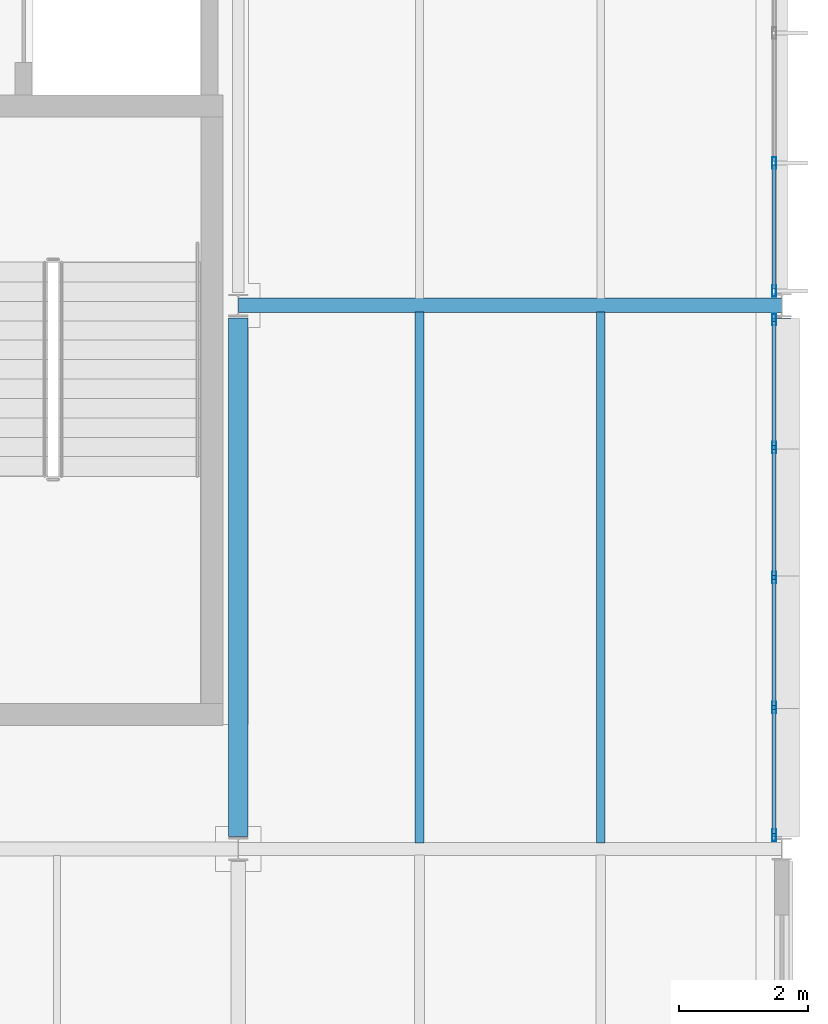
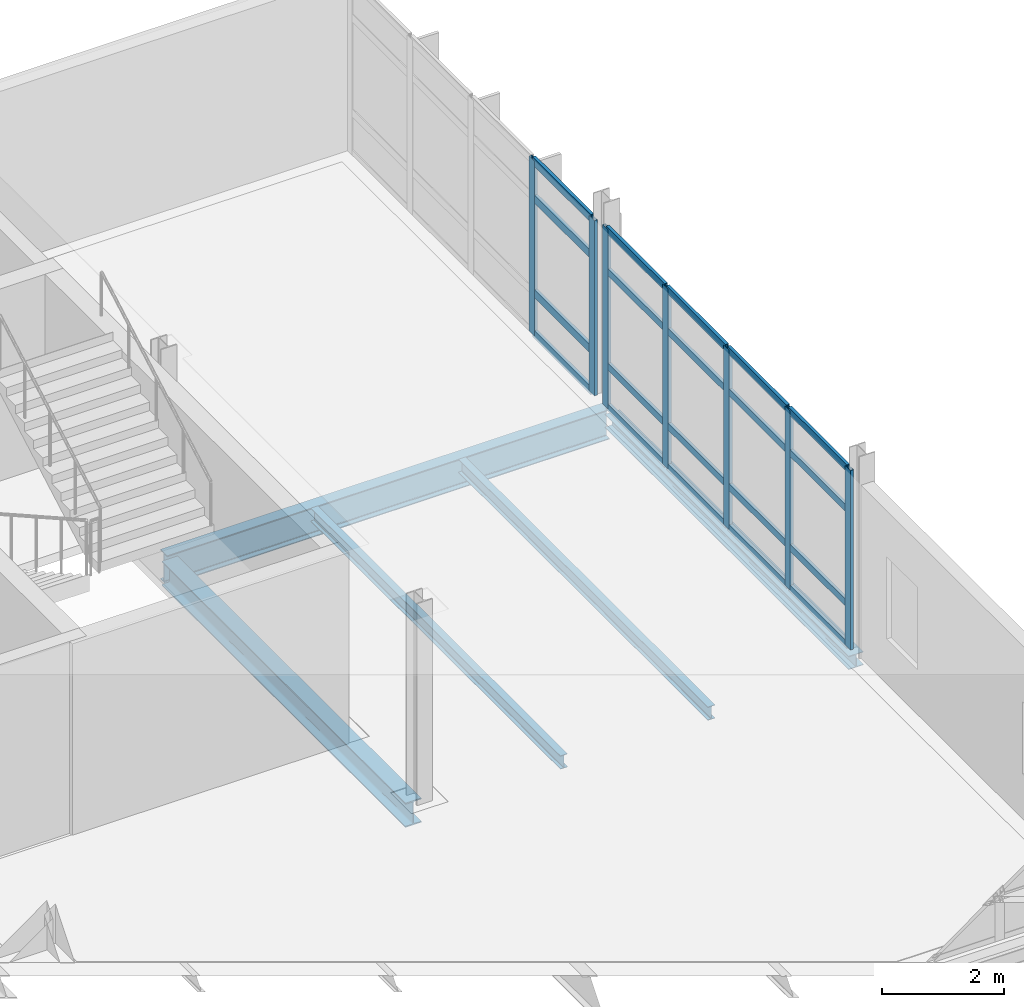
# One storey, part 38 of 57: 27 members, 5 beams, 2 elements without a shape of their own.
"""IFC4 building model written with IfcOpenShell, lengths in metres."""

from ifc_helpers import new_model, si_unit, direction, frame, origin, origin_2d, place, context, subcontext, project, spatial, hollow_rectangle, i_section, extrude, material, material_profile, profile_set, type_object, element, aggregate, save


model = new_model("IFC4")

# Units and contexts
model_context = context("Model", 3, precision=1e-05, world=origin(), true_north=direction((0.0, 1.0)))
body_context = subcontext(model_context, "Body", "Model", "MODEL_VIEW")
ifc_project = project(units=[si_unit("LENGTHUNIT", "METRE"), si_unit("AREAUNIT", "SQUARE_METRE"), si_unit("VOLUMEUNIT", "CUBIC_METRE"), si_unit("PLANEANGLEUNIT", "RADIAN"), si_unit("MASSUNIT", "GRAM", prefix="KILO")], contexts=[model_context])

# Site, building, storey
site_placement = place(None, origin())
site = spatial("IfcSite", under=ifc_project, at=site_placement, CompositionType="ELEMENT")
building_placement = place(site_placement, origin())
building = spatial("IfcBuilding", under=site, at=building_placement, Name="Mersafa Astral City Hall", CompositionType="ELEMENT")
storey_placement = place(building_placement, frame((0.0, 0.0, 26.10009765625)))
storey = spatial("IfcBuildingStorey", under=building, at=storey_placement, Name="L06", CompositionType="ELEMENT", Elevation=26.10009765625)

# Curtain wall, members
ifc_material_1 = material(Name="Anodised bronze aluminium framing", Category="aluminium")
curtain_wall_type_1 = type_object("IfcCurtainWallType", Name="ENV-CW-4", PredefinedType="USERDEFINED", material=ifc_material_1)
curtain_wall_1_placement = place(storey_placement, origin())
curtain_wall_1 = element("IfcCurtainWall", 1, at=curtain_wall_1_placement, inside=storey, type_object=curtain_wall_type_1, Name="L06 Unitised solar curtain wall 255", ObjectType="UNITISED CURTAIN WALL", PredefinedType="USERDEFINED")
ifc_material_profile_1 = material_profile(ifc_material_1, hollow_rectangle(XDim=0.06005859375, YDim=0.179931640625, WallThickness=0.00390625, at=origin_2d()), Name="RHS 60x180x4")
ifc_profile_set_1 = profile_set([ifc_material_profile_1], Name="Anodised bronze aluminium framing")
member_type_1 = type_object("IfcMemberType", Name="ENV-CW-MUL-1", PredefinedType="MULLION", material=ifc_profile_set_1)
member_1_placement = place(storey_placement, frame((184.679931640625, 109.412109375, -0.002197265625), z_axis=(0.0, 0.0, 1.0), x_axis=(-1.0, 0.0, 0.0)))
member_1 = element("IfcMember", 2, at=member_1_placement, type_object=member_type_1, Name="CW-4 mullion 1", PredefinedType="MULLION", context=body_context, shape_type="SweptSolid", body=[
    extrude(hollow_rectangle(XDim=0.06005859375, YDim=0.179931640625, WallThickness=0.00390625, at=origin_2d()), origin(), (0.0, 0.0, 1.0), 3.60400390625),
])
member_2_placement = place(storey_placement, frame((184.679931640625, 111.388427734375, -0.002197265625), z_axis=(0.0, 0.0, 1.0), x_axis=(-1.0, 0.0, 0.0)))
member_2 = element("IfcMember", 3, at=member_2_placement, type_object=member_type_1, Name="CW-4 mullion 2", PredefinedType="MULLION", context=body_context, shape_type="SweptSolid", body=[
    extrude(hollow_rectangle(XDim=0.06005859375, YDim=0.179931640625, WallThickness=0.00390625, at=origin_2d()), origin(), (0.0, 0.0, 1.0), 3.60400390625),
])
member_3_placement = place(storey_placement, frame((184.679931640625, 113.39501953125, -0.002197265625), z_axis=(0.0, 0.0, 1.0), x_axis=(-1.0, 0.0, 0.0)))
member_3 = element("IfcMember", 4, at=member_3_placement, type_object=member_type_1, Name="CW-4 mullion 3", PredefinedType="MULLION", context=body_context, shape_type="SweptSolid", body=[
    extrude(hollow_rectangle(XDim=0.06005859375, YDim=0.179931640625, WallThickness=0.00390625, at=origin_2d()), origin(), (0.0, 0.0, 1.0), 3.60400390625),
])
member_4_placement = place(storey_placement, frame((184.679931640625, 115.401611328125, -0.002197265625), z_axis=(0.0, 0.0, 1.0), x_axis=(-1.0, 0.0, 0.0)))
member_4 = element("IfcMember", 5, at=member_4_placement, type_object=member_type_1, Name="CW-4 mullion 4", PredefinedType="MULLION", context=body_context, shape_type="SweptSolid", body=[
    extrude(hollow_rectangle(XDim=0.06005859375, YDim=0.179931640625, WallThickness=0.00390625, at=origin_2d()), origin(), (0.0, 0.0, 1.0), 3.60400390625),
])
member_5_placement = place(storey_placement, frame((184.679931640625, 117.3779296875, -0.002197265625), z_axis=(0.0, 0.0, 1.0), x_axis=(-1.0, 0.0, 0.0)))
member_5 = element("IfcMember", 6, at=member_5_placement, type_object=member_type_1, Name="CW-4 mullion 5", PredefinedType="MULLION", context=body_context, shape_type="SweptSolid", body=[
    extrude(hollow_rectangle(XDim=0.06005859375, YDim=0.179931640625, WallThickness=0.00390625, at=origin_2d()), origin(), (0.0, 0.0, 1.0), 3.60400390625),
])

curtain_wall_type_2 = type_object("IfcCurtainWallType", Name="ENV-CW-5", PredefinedType="USERDEFINED", material=ifc_material_1)
curtain_wall_2_placement = place(storey_placement, origin())
curtain_wall_2 = element("IfcCurtainWall", 7, at=curtain_wall_2_placement, inside=storey, type_object=curtain_wall_type_2, Name="L06 Unitised solar curtain wall 256", ObjectType="UNITISED CURTAIN WALL", PredefinedType="USERDEFINED")
member_6_placement = place(storey_placement, frame((184.679931640625, 117.822021484375, -0.002197265625), z_axis=(0.0, 0.0, 1.0), x_axis=(-1.0, 0.0, 0.0)))
member_6 = element("IfcMember", 8, at=member_6_placement, type_object=member_type_1, Name="CW-5 mullion 1", PredefinedType="MULLION", context=body_context, shape_type="SweptSolid", body=[
    extrude(hollow_rectangle(XDim=0.06005859375, YDim=0.179931640625, WallThickness=0.00390625, at=origin_2d()), origin(), (0.0, 0.0, 1.0), 3.51416015625),
])
member_7_placement = place(storey_placement, frame((184.679931640625, 119.798583984375, -0.002197265625), z_axis=(0.0, 0.0, 1.0), x_axis=(-1.0, 0.0, 0.0)))
member_7 = element("IfcMember", 9, at=member_7_placement, type_object=member_type_1, Name="CW-5 mullion 2", PredefinedType="MULLION", context=body_context, shape_type="SweptSolid", body=[
    extrude(hollow_rectangle(XDim=0.06005859375, YDim=0.179931640625, WallThickness=0.00390625, at=origin_2d()), origin(), (0.0, 0.0, 1.0), 3.51416015625),
])

# Member
ifc_material_profile_2 = material_profile(ifc_material_1, hollow_rectangle(XDim=0.06005859375, YDim=0.139892578125, WallThickness=0.00390625, at=origin_2d()), Name="RHS 60x140x4")
ifc_profile_set_2 = profile_set([ifc_material_profile_2], Name="Anodised bronze aluminium framing")
member_type_2 = type_object("IfcMemberType", Name="ENV-CW-TRN-1", PredefinedType="USERDEFINED", material=ifc_profile_set_2)
member_8_placement = place(storey_placement, frame((184.679931640625, 109.44189453125, 0.02783203125), z_axis=(0.0, 1.0, 0.0), x_axis=(-1.0, 0.0, 0.0)))
member_8 = element("IfcMember", 10, at=member_8_placement, type_object=member_type_2, Name="CW-4 transom 1.1", ObjectType="TRANSOM", PredefinedType="USERDEFINED", context=body_context, shape_type="SweptSolid", body=[
    extrude(hollow_rectangle(XDim=0.06005859375, YDim=0.139892578125, WallThickness=0.00390625, at=origin_2d()), origin(), (0.0, 0.0, 1.0), 1.91650390625),
])

member_9_placement = place(storey_placement, frame((184.679931640625, 109.44189453125, 0.849853515625), z_axis=(0.0, 1.0, 0.0), x_axis=(-1.0, 0.0, 0.0)))
member_9 = element("IfcMember", 11, at=member_9_placement, type_object=member_type_2, Name="CW-4 transom 1.2", ObjectType="TRANSOM", PredefinedType="USERDEFINED", context=body_context, shape_type="SweptSolid", body=[
    extrude(hollow_rectangle(XDim=0.06005859375, YDim=0.139892578125, WallThickness=0.00390625, at=origin_2d()), origin(), (0.0, 0.0, 1.0), 1.91650390625),
])

member_10_placement = place(storey_placement, frame((184.679931640625, 109.44189453125, 2.75), z_axis=(0.0, 1.0, 0.0), x_axis=(-1.0, 0.0, 0.0)))
member_10 = element("IfcMember", 12, at=member_10_placement, type_object=member_type_2, Name="CW-4 transom 1.3", ObjectType="TRANSOM", PredefinedType="USERDEFINED", context=body_context, shape_type="SweptSolid", body=[
    extrude(hollow_rectangle(XDim=0.06005859375, YDim=0.139892578125, WallThickness=0.00390625, at=origin_2d()), origin(), (0.0, 0.0, 1.0), 1.91650390625),
])

member_11_placement = place(storey_placement, frame((184.679931640625, 109.44189453125, 3.572021484375), z_axis=(0.0, 1.0, 0.0), x_axis=(-1.0, 0.0, 0.0)))
member_11 = element("IfcMember", 13, at=member_11_placement, type_object=member_type_2, Name="CW-4 transom 1.4", ObjectType="TRANSOM", PredefinedType="USERDEFINED", context=body_context, shape_type="SweptSolid", body=[
    extrude(hollow_rectangle(XDim=0.06005859375, YDim=0.139892578125, WallThickness=0.00390625, at=origin_2d()), origin(), (0.0, 0.0, 1.0), 1.91650390625),
])

member_12_placement = place(storey_placement, frame((184.679931640625, 111.41845703125, 0.02783203125), z_axis=(0.0, 1.0, 0.0), x_axis=(-1.0, 0.0, 0.0)))
member_12 = element("IfcMember", 14, at=member_12_placement, type_object=member_type_2, Name="CW-4 transom 2.1", ObjectType="TRANSOM", PredefinedType="USERDEFINED", context=body_context, shape_type="SweptSolid", body=[
    extrude(hollow_rectangle(XDim=0.06005859375, YDim=0.139892578125, WallThickness=0.00390625, at=origin_2d()), origin(), (0.0, 0.0, 1.0), 1.946533203125),
])

member_13_placement = place(storey_placement, frame((184.679931640625, 111.41845703125, 0.849853515625), z_axis=(0.0, 1.0, 0.0), x_axis=(-1.0, 0.0, 0.0)))
member_13 = element("IfcMember", 15, at=member_13_placement, type_object=member_type_2, Name="CW-4 transom 2.2", ObjectType="TRANSOM", PredefinedType="USERDEFINED", context=body_context, shape_type="SweptSolid", body=[
    extrude(hollow_rectangle(XDim=0.06005859375, YDim=0.139892578125, WallThickness=0.00390625, at=origin_2d()), origin(), (0.0, 0.0, 1.0), 1.946533203125),
])

member_14_placement = place(storey_placement, frame((184.679931640625, 111.41845703125, 2.75), z_axis=(0.0, 1.0, 0.0), x_axis=(-1.0, 0.0, 0.0)))
member_14 = element("IfcMember", 16, at=member_14_placement, type_object=member_type_2, Name="CW-4 transom 2.3", ObjectType="TRANSOM", PredefinedType="USERDEFINED", context=body_context, shape_type="SweptSolid", body=[
    extrude(hollow_rectangle(XDim=0.06005859375, YDim=0.139892578125, WallThickness=0.00390625, at=origin_2d()), origin(), (0.0, 0.0, 1.0), 1.946533203125),
])

member_15_placement = place(storey_placement, frame((184.679931640625, 111.41845703125, 3.572021484375), z_axis=(0.0, 1.0, 0.0), x_axis=(-1.0, 0.0, 0.0)))
member_15 = element("IfcMember", 17, at=member_15_placement, type_object=member_type_2, Name="CW-4 transom 2.4", ObjectType="TRANSOM", PredefinedType="USERDEFINED", context=body_context, shape_type="SweptSolid", body=[
    extrude(hollow_rectangle(XDim=0.06005859375, YDim=0.139892578125, WallThickness=0.00390625, at=origin_2d()), origin(), (0.0, 0.0, 1.0), 1.946533203125),
])

member_16_placement = place(storey_placement, frame((184.679931640625, 113.425048828125, 0.02783203125), z_axis=(0.0, 1.0, 0.0), x_axis=(-1.0, 0.0, 0.0)))
member_16 = element("IfcMember", 18, at=member_16_placement, type_object=member_type_2, Name="CW-4 transom 3.1", ObjectType="TRANSOM", PredefinedType="USERDEFINED", context=body_context, shape_type="SweptSolid", body=[
    extrude(hollow_rectangle(XDim=0.06005859375, YDim=0.139892578125, WallThickness=0.00390625, at=origin_2d()), origin(), (0.0, 0.0, 1.0), 1.946533203125),
])

member_17_placement = place(storey_placement, frame((184.679931640625, 113.425048828125, 0.849853515625), z_axis=(0.0, 1.0, 0.0), x_axis=(-1.0, 0.0, 0.0)))
member_17 = element("IfcMember", 19, at=member_17_placement, type_object=member_type_2, Name="CW-4 transom 3.2", ObjectType="TRANSOM", PredefinedType="USERDEFINED", context=body_context, shape_type="SweptSolid", body=[
    extrude(hollow_rectangle(XDim=0.06005859375, YDim=0.139892578125, WallThickness=0.00390625, at=origin_2d()), origin(), (0.0, 0.0, 1.0), 1.946533203125),
])

member_18_placement = place(storey_placement, frame((184.679931640625, 113.425048828125, 2.75), z_axis=(0.0, 1.0, 0.0), x_axis=(-1.0, 0.0, 0.0)))
member_18 = element("IfcMember", 20, at=member_18_placement, type_object=member_type_2, Name="CW-4 transom 3.3", ObjectType="TRANSOM", PredefinedType="USERDEFINED", context=body_context, shape_type="SweptSolid", body=[
    extrude(hollow_rectangle(XDim=0.06005859375, YDim=0.139892578125, WallThickness=0.00390625, at=origin_2d()), origin(), (0.0, 0.0, 1.0), 1.946533203125),
])

member_19_placement = place(storey_placement, frame((184.679931640625, 113.425048828125, 3.572021484375), z_axis=(0.0, 1.0, 0.0), x_axis=(-1.0, 0.0, 0.0)))
member_19 = element("IfcMember", 21, at=member_19_placement, type_object=member_type_2, Name="CW-4 transom 3.4", ObjectType="TRANSOM", PredefinedType="USERDEFINED", context=body_context, shape_type="SweptSolid", body=[
    extrude(hollow_rectangle(XDim=0.06005859375, YDim=0.139892578125, WallThickness=0.00390625, at=origin_2d()), origin(), (0.0, 0.0, 1.0), 1.946533203125),
])

member_20_placement = place(storey_placement, frame((184.679931640625, 115.431396484375, 0.02783203125), z_axis=(0.0, 1.0, 0.0), x_axis=(-1.0, 0.0, 0.0)))
member_20 = element("IfcMember", 22, at=member_20_placement, type_object=member_type_2, Name="CW-4 transom 4.1", ObjectType="TRANSOM", PredefinedType="USERDEFINED", context=body_context, shape_type="SweptSolid", body=[
    extrude(hollow_rectangle(XDim=0.06005859375, YDim=0.139892578125, WallThickness=0.00390625, at=origin_2d()), origin(), (0.0, 0.0, 1.0), 1.91650390625),
])

member_21_placement = place(storey_placement, frame((184.679931640625, 115.431396484375, 0.849853515625), z_axis=(0.0, 1.0, 0.0), x_axis=(-1.0, 0.0, 0.0)))
member_21 = element("IfcMember", 23, at=member_21_placement, type_object=member_type_2, Name="CW-4 transom 4.2", ObjectType="TRANSOM", PredefinedType="USERDEFINED", context=body_context, shape_type="SweptSolid", body=[
    extrude(hollow_rectangle(XDim=0.06005859375, YDim=0.139892578125, WallThickness=0.00390625, at=origin_2d()), origin(), (0.0, 0.0, 1.0), 1.91650390625),
])

member_22_placement = place(storey_placement, frame((184.679931640625, 115.431396484375, 2.75), z_axis=(0.0, 1.0, 0.0), x_axis=(-1.0, 0.0, 0.0)))
member_22 = element("IfcMember", 24, at=member_22_placement, type_object=member_type_2, Name="CW-4 transom 4.3", ObjectType="TRANSOM", PredefinedType="USERDEFINED", context=body_context, shape_type="SweptSolid", body=[
    extrude(hollow_rectangle(XDim=0.06005859375, YDim=0.139892578125, WallThickness=0.00390625, at=origin_2d()), origin(), (0.0, 0.0, 1.0), 1.91650390625),
])

member_23_placement = place(storey_placement, frame((184.679931640625, 115.431396484375, 3.572021484375), z_axis=(0.0, 1.0, 0.0), x_axis=(-1.0, 0.0, 0.0)))
member_23 = element("IfcMember", 25, at=member_23_placement, type_object=member_type_2, Name="CW-4 transom 4.4", ObjectType="TRANSOM", PredefinedType="USERDEFINED", context=body_context, shape_type="SweptSolid", body=[
    extrude(hollow_rectangle(XDim=0.06005859375, YDim=0.139892578125, WallThickness=0.00390625, at=origin_2d()), origin(), (0.0, 0.0, 1.0), 1.91650390625),
])

aggregate(curtain_wall_1, [member_1, member_2, member_3, member_4, member_5, member_8, member_9, member_10, member_11, member_12, member_13, member_14, member_15, member_16, member_17, member_18, member_19, member_20, member_21, member_22, member_23])

ifc_material_profile_3 = material_profile(ifc_material_1, hollow_rectangle(XDim=0.06005859375, YDim=0.159912109375, WallThickness=0.00390625, at=origin_2d()), Name="RHS 60x160x4")
ifc_profile_set_3 = profile_set([ifc_material_profile_3], Name="Anodised bronze aluminium framing")
member_type_3 = type_object("IfcMemberType", Name="ENV-CW-TRN-2", PredefinedType="USERDEFINED", material=ifc_profile_set_3)
member_24_placement = place(storey_placement, frame((184.679931640625, 117.85205078125, 0.02783203125), z_axis=(0.0, 1.0, 0.0), x_axis=(-1.0, 0.0, 0.0)))
member_24 = element("IfcMember", 26, at=member_24_placement, type_object=member_type_3, Name="CW-5 transom 1.1", ObjectType="TRANSOM", PredefinedType="USERDEFINED", context=body_context, shape_type="SweptSolid", body=[
    extrude(hollow_rectangle(XDim=0.06005859375, YDim=0.159912109375, WallThickness=0.00390625, at=origin_2d()), origin(), (0.0, 0.0, 1.0), 1.91650390625),
])

member_25_placement = place(storey_placement, frame((184.679931640625, 117.85205078125, 0.849853515625), z_axis=(0.0, 1.0, 0.0), x_axis=(-1.0, 0.0, 0.0)))
member_25 = element("IfcMember", 27, at=member_25_placement, type_object=member_type_3, Name="CW-5 transom 1.2", ObjectType="TRANSOM", PredefinedType="USERDEFINED", context=body_context, shape_type="SweptSolid", body=[
    extrude(hollow_rectangle(XDim=0.06005859375, YDim=0.159912109375, WallThickness=0.00390625, at=origin_2d()), origin(), (0.0, 0.0, 1.0), 1.91650390625),
])

member_26_placement = place(storey_placement, frame((184.679931640625, 117.85205078125, 2.75), z_axis=(0.0, 1.0, 0.0), x_axis=(-1.0, 0.0, 0.0)))
member_26 = element("IfcMember", 28, at=member_26_placement, type_object=member_type_3, Name="CW-5 transom 1.3", ObjectType="TRANSOM", PredefinedType="USERDEFINED", context=body_context, shape_type="SweptSolid", body=[
    extrude(hollow_rectangle(XDim=0.06005859375, YDim=0.159912109375, WallThickness=0.00390625, at=origin_2d()), origin(), (0.0, 0.0, 1.0), 1.91650390625),
])

member_27_placement = place(storey_placement, frame((184.679931640625, 117.85205078125, 3.48193359375), z_axis=(0.0, 1.0, 0.0), x_axis=(-1.0, 0.0, 0.0)))
member_27 = element("IfcMember", 29, at=member_27_placement, type_object=member_type_3, Name="CW-5 transom 1.4", ObjectType="TRANSOM", PredefinedType="USERDEFINED", context=body_context, shape_type="SweptSolid", body=[
    extrude(hollow_rectangle(XDim=0.06005859375, YDim=0.159912109375, WallThickness=0.00390625, at=origin_2d()), origin(), (0.0, 0.0, 1.0), 1.91650390625),
])

aggregate(curtain_wall_2, [member_6, member_7, member_24, member_25, member_26, member_27])

# Beams
ifc_material_2 = material(Name="Steel S355", Category="steel")
ifc_material_profile_4 = material_profile(ifc_material_2, i_section(OverallWidth=0.300048828125, OverallDepth=0.489990234375, WebThickness=0.011962890625, FlangeThickness=0.02294921875, FilletRadius=0.027099609375, at=origin_2d()), Name="HEA 500")
ifc_profile_set_4 = profile_set([ifc_material_profile_4], Name="Steel S355")
beam_type_1 = type_object("IfcBeamType", Name="STR-BM-HEA500", PredefinedType="BEAM", material=ifc_profile_set_4)
beam_1_placement = place(storey_placement, frame((176.39990234375, 109.39501953125, -0.420166015625), z_axis=(0.0, 1.0, 0.0), x_axis=(-1.0, 0.0, 0.0)))
element("IfcBeam", 30, at=beam_1_placement, inside=storey, type_object=beam_type_1, Name="L06 Primary girder Y 21-13", PredefinedType="BEAM", context=body_context, shape_type="SweptSolid", body=[
    extrude(i_section(OverallWidth=0.300048828125, OverallDepth=0.489990234375, WebThickness=0.011962890625, FlangeThickness=0.02294921875, FilletRadius=0.027099609375, at=origin_2d()), origin(), (0.0, 0.0, 1.0), 8.010009765625),
])
ifc_material_profile_5 = material_profile(ifc_material_2, i_section(OverallWidth=0.219970703125, OverallDepth=0.60009765625, WebThickness=0.011962890625, FlangeThickness=0.01904296875, FilletRadius=0.02392578125, at=origin_2d()), Name="IPE 600")
ifc_profile_set_5 = profile_set([ifc_material_profile_5], Name="Steel S355")
beam_type_2 = type_object("IfcBeamType", Name="STR-BM-IPE600", PredefinedType="BEAM", material=ifc_profile_set_5)
beam_2_placement = place(storey_placement, frame((176.403076171875, 117.60009765625, -0.47509765625), z_axis=(1.0, 0.0, 0.0), x_axis=(0.0, 1.0, 0.0)))
element("IfcBeam", 31, at=beam_2_placement, inside=storey, type_object=beam_type_2, Name="L06 Primary girder X 21-14", PredefinedType="BEAM", context=body_context, shape_type="SweptSolid", body=[
    extrude(i_section(OverallWidth=0.219970703125, OverallDepth=0.60009765625, WebThickness=0.011962890625, FlangeThickness=0.01904296875, FilletRadius=0.02392578125, at=origin_2d()), origin(), (0.0, 0.0, 1.0), 8.39404296875),
])
ifc_material_profile_6 = material_profile(ifc_material_2, i_section(OverallWidth=0.135009765625, OverallDepth=0.27001953125, WebThickness=0.006591796875, FlangeThickness=0.01025390625, FilletRadius=0.014892578125, at=origin_2d()), Name="IPE 270")
ifc_profile_set_6 = profile_set([ifc_material_profile_6], Name="Steel S355")
beam_type_3 = type_object("IfcBeamType", Name="STR-BM-JOIST-IPE270", PredefinedType="JOIST", material=ifc_profile_set_6)
for number, where, z_axis, x_axis, name in (
    (32, (179.199951171875, 109.294921875, -0.31005859375), (0.0, 1.0, 0.0), (-1.0, 0.0, 0.0), "L06 Composite secondary floor joist 884"),
    (33, (182.0, 109.294921875, -0.31005859375), (0.0, 1.0, 0.0), (-1.0, 0.0, 0.0), "L06 Composite secondary floor joist 885"),
):
    element("IfcBeam", number, at=place(storey_placement, frame(where, z_axis=z_axis, x_axis=x_axis)), inside=storey, type_object=beam_type_3, Name=name, PredefinedType="JOIST", context=body_context, shape_type="SweptSolid", body=[
        extrude(i_section(OverallWidth=0.135009765625, OverallDepth=0.27001953125, WebThickness=0.006591796875, FlangeThickness=0.01025390625, FilletRadius=0.014892578125, at=origin_2d()), origin(), (0.0, 0.0, 1.0), 8.2001953125),
    ])
ifc_material_profile_7 = material_profile(ifc_material_2, i_section(OverallWidth=0.280029296875, OverallDepth=0.27001953125, WebThickness=0.008056640625, FlangeThickness=0.012939453125, FilletRadius=0.02392578125, at=origin_2d()), Name="HEA 280")
ifc_profile_set_7 = profile_set([ifc_material_profile_7], Name="Steel S355")
beam_type_4 = type_object("IfcBeamType", Name="STR-BM-SPANDREL-HEA280", PredefinedType="SPANDREL", material=ifc_profile_set_7)
beam_3_placement = place(storey_placement, frame((184.800048828125, 109.39501953125, -0.31005859375), z_axis=(0.0, 1.0, 0.0), x_axis=(-1.0, 0.0, 0.0)))
element("IfcBeam", 34, at=beam_3_placement, inside=storey, type_object=beam_type_4, Name="L06 Primary girder Y 22-13", PredefinedType="SPANDREL", context=body_context, shape_type="SweptSolid", body=[
    extrude(i_section(OverallWidth=0.280029296875, OverallDepth=0.27001953125, WebThickness=0.008056640625, FlangeThickness=0.012939453125, FilletRadius=0.02392578125, at=origin_2d()), origin(), (0.0, 0.0, 1.0), 8.010009765625),
])

save(model, "model.ifc")
